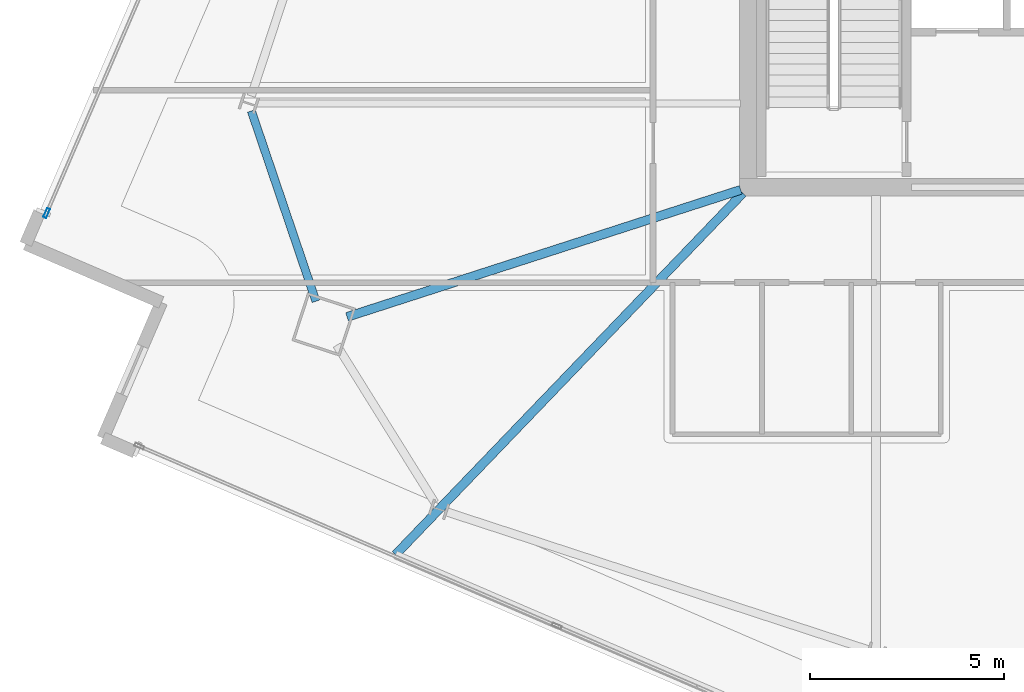
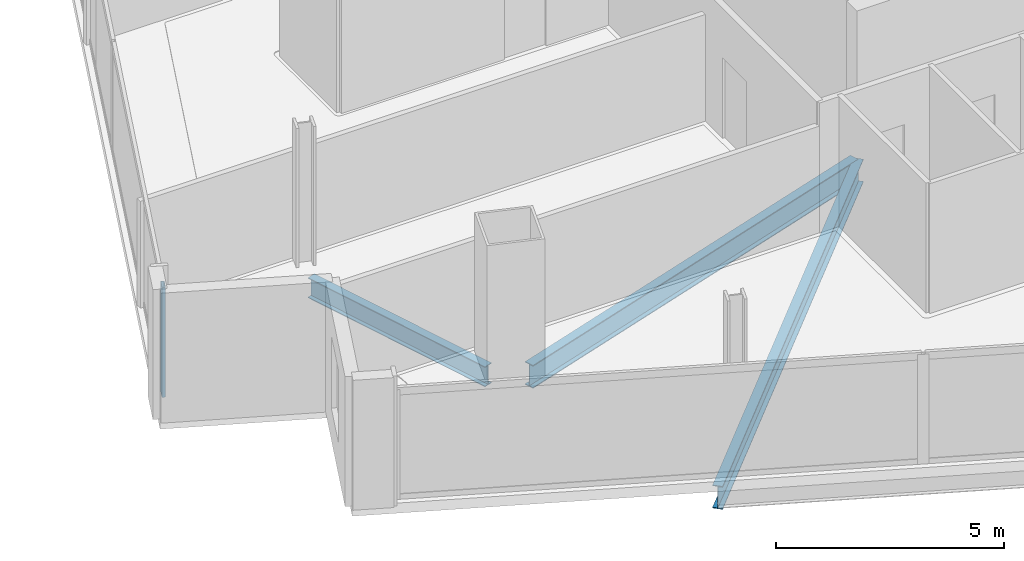
# One storey, part 5 of 28: 3 beams, 1 member, 1 element without a shape of its own.
"""IFC4 building model written with IfcOpenShell, lengths in metres."""

from ifc_helpers import new_model, si_unit, direction, frame, origin, origin_2d, place, context, subcontext, project, spatial, hollow_rectangle, i_section, extrude, material, material_profile, profile_set, type_object, element, aggregate, save


model = new_model("IFC4")

# Units and contexts
model_context = context("Model", 3, precision=1e-05, world=origin(), true_north=direction((0.0, 1.0)))
body_context = subcontext(model_context, "Body", "Model", "MODEL_VIEW")
ifc_project = project(units=[si_unit("LENGTHUNIT", "METRE"), si_unit("AREAUNIT", "SQUARE_METRE"), si_unit("VOLUMEUNIT", "CUBIC_METRE"), si_unit("PLANEANGLEUNIT", "RADIAN"), si_unit("MASSUNIT", "GRAM", prefix="KILO")], contexts=[model_context])

# Site, building, storey
site_placement = place(None, origin())
site = spatial("IfcSite", under=ifc_project, at=site_placement, CompositionType="ELEMENT")
building_placement = place(site_placement, origin())
building = spatial("IfcBuilding", under=site, at=building_placement, Name="Haldenkirk Collegiate Tower", CompositionType="ELEMENT")
storey_placement = place(building_placement, frame((0.0, 0.0, 252.449951171875)))
storey = spatial("IfcBuildingStorey", under=building, at=storey_placement, Name="L63", CompositionType="ELEMENT", Elevation=252.449951171875)

# Beams
ifc_material_1 = material(Name="Steel ASTM A992 Grade 50", Category="steel")
ifc_material_profile_1 = material_profile(ifc_material_1, i_section(OverallWidth=0.22998046875, OverallDepth=0.616943359375, WebThickness=0.01318359375, FlangeThickness=0.022216796875, at=origin_2d()), Name="W24X94")
ifc_profile_set_1 = profile_set([ifc_material_profile_1], Name="Steel ASTM A992 Grade 50")
beam_type_1 = type_object("IfcBeamType", Name="BM-GIRDER-W24X94", PredefinedType="BEAM", material=ifc_profile_set_1)
beam_1_placement = place(storey_placement, frame((16.677001953125, 14.66796875, -0.578369140625), z_axis=(0.95165454957, 0.307170340824, 0.0), x_axis=(-0.307170340824, 0.95165454957, 0.0)))
element("IfcBeam", 1, at=beam_1_placement, inside=storey, type_object=beam_type_1, Name="L63 primary floor girder 04", PredefinedType="BEAM", context=body_context, shape_type="SweptSolid", body=[
    extrude(i_section(OverallWidth=0.22998046875, OverallDepth=0.616943359375, WebThickness=0.01318359375, FlangeThickness=0.022216796875, at=origin_2d()), origin(), (0.0, 0.0, 1.0), 10.642333984375),
])
beam_2_placement = place(storey_placement, frame((17.92041015625, 8.548095703125, -0.578369140625), z_axis=(0.692752386439, 0.721175520302, 0.0), x_axis=(-0.721175520302, 0.692752386439, 0.0)))
element("IfcBeam", 2, at=beam_2_placement, inside=storey, type_object=beam_type_1, Name="L63 primary floor girder 14", PredefinedType="BEAM", context=body_context, shape_type="SweptSolid", body=[
    extrude(i_section(OverallWidth=0.22998046875, OverallDepth=0.616943359375, WebThickness=0.01318359375, FlangeThickness=0.022216796875, at=origin_2d()), origin(), (0.0, 0.0, 1.0), 12.9013671875),
])
ifc_material_profile_2 = material_profile(ifc_material_1, i_section(OverallWidth=0.2099609375, OverallDepth=0.537109375, WebThickness=0.010986328125, FlangeThickness=0.017333984375, at=origin_2d()), Name="W21X68")
ifc_profile_set_2 = profile_set([ifc_material_profile_2], Name="Steel ASTM A992 Grade 50")
beam_type_2 = type_object("IfcBeamType", Name="BM-SPANDREL-W21X68", PredefinedType="SPANDREL", material=ifc_profile_set_2)
beam_3_placement = place(storey_placement, frame((14.214599609375, 19.96630859375, -0.538330078125), z_axis=(0.321210878439, -0.947007693513, 0.0), x_axis=(0.947007693513, 0.321210878439, 0.0)))
element("IfcBeam", 3, at=beam_3_placement, inside=storey, type_object=beam_type_2, Name="L63 perimeter spandrel beam 12", PredefinedType="SPANDREL", context=body_context, shape_type="SweptSolid", body=[
    extrude(i_section(OverallWidth=0.2099609375, OverallDepth=0.537109375, WebThickness=0.010986328125, FlangeThickness=0.017333984375, at=origin_2d()), origin(), (0.0, 0.0, 1.0), 5.169189453125),
])

# Curtain wall, member
ifc_material_2 = material(Name="Anodised architectural bronze aluminium", Category="aluminium")
curtain_wall_type = type_object("IfcCurtainWallType", Name="CW-SYS1B-CONVEX-HI", PredefinedType="USERDEFINED", material=ifc_material_2)
curtain_wall_placement = place(storey_placement, origin())
curtain_wall = element("IfcCurtainWall", 4, at=curtain_wall_placement, inside=storey, type_object=curtain_wall_type, Name="L63 Upper tower high-wind convex bronze unitised curtain wall", ObjectType="UNITISED CURTAIN WALL", PredefinedType="USERDEFINED")
ifc_material_profile_3 = material_profile(ifc_material_2, hollow_rectangle(XDim=0.0849609375, YDim=0.25, WallThickness=0.0048828125, at=origin_2d()), Name="CW-MUL-1B")
ifc_profile_set_3 = profile_set([ifc_material_profile_3], Name="Anodised architectural bronze aluminium")
member_type = type_object("IfcMemberType", Name="CW-MUL-1B", PredefinedType="MULLION", material=ifc_profile_set_3)
member_placement = place(storey_placement, frame((8.947021484375, 17.336669921875, 0.0), z_axis=(0.0, 0.0, 1.0), x_axis=(-0.918446421115, 0.395545410215, 0.0)))
member = element("IfcMember", 5, at=member_placement, type_object=member_type, Name="CW-1B mullion 1", PredefinedType="MULLION", context=body_context, shape_type="SweptSolid", body=[
    extrude(hollow_rectangle(XDim=0.0849609375, YDim=0.25, WallThickness=0.0048828125, at=origin_2d()), origin(), (0.0, 0.0, 1.0), 2.93798828125),
])
aggregate(curtain_wall, [member])

save(model, "model.ifc")
